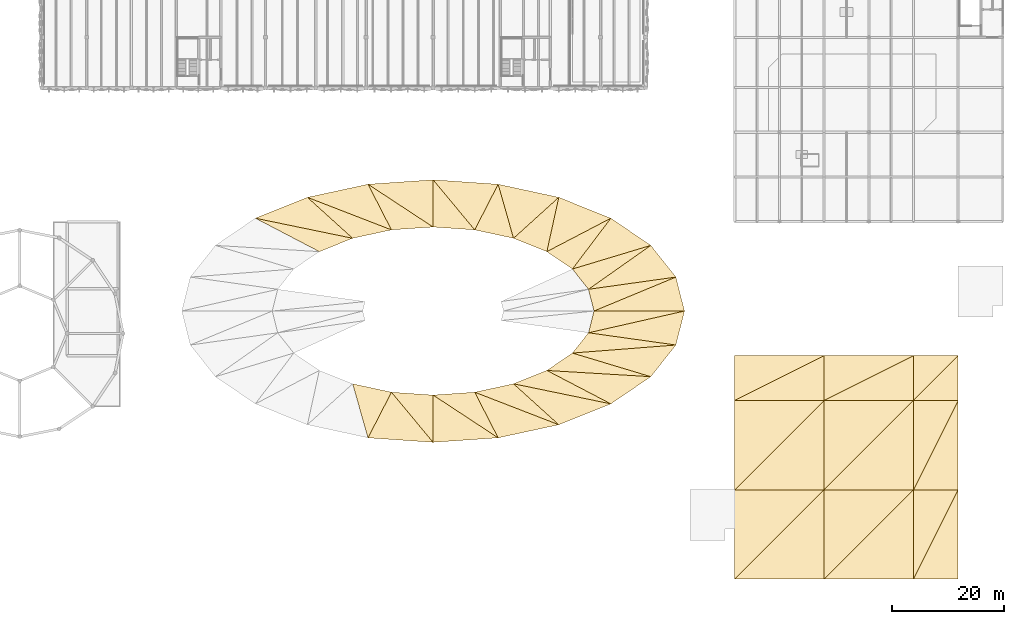
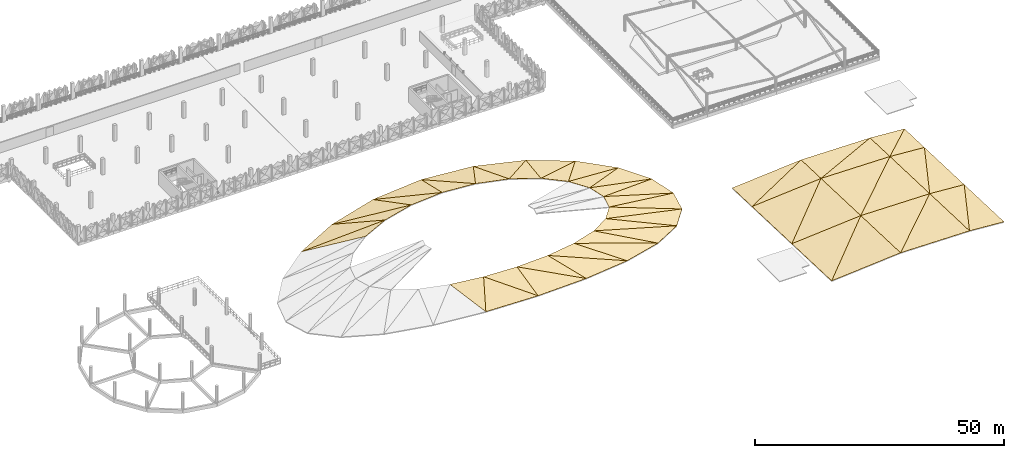
# One storey, part 52 of 52: 51 coverings.
"""IFC4 building model written with IfcOpenShell, lengths in metres."""

from ifc_helpers import new_model, si_unit, derived_unit, direction, frame, origin, place, context, subcontext, project, spatial, polygons, material, layer, layer_set, type_object, element, save


model = new_model("IFC4")

# Units and contexts
model_context = context("Model", 3, precision=1e-05, world=origin(), true_north=direction((0.0, 1.0)))
body_context = subcontext(model_context, "Body", "Model", "MODEL_VIEW")
ifc_project = project(units=[si_unit("LENGTHUNIT", "METRE"), si_unit("AREAUNIT", "SQUARE_METRE"), si_unit("VOLUMEUNIT", "CUBIC_METRE"), si_unit("PLANEANGLEUNIT", "RADIAN"), si_unit("MASSUNIT", "GRAM", prefix="KILO"), si_unit("THERMODYNAMICTEMPERATUREUNIT", "KELVIN"), derived_unit("THERMALTRANSMITTANCEUNIT", [(si_unit("POWERUNIT", "WATT"), 1), (si_unit("AREAUNIT", "SQUARE_METRE"), -1), (si_unit("THERMODYNAMICTEMPERATUREUNIT", "KELVIN"), -1)])], contexts=[model_context])

# Site, building, storey
site_placement = place(None, origin())
site = spatial("IfcSite", under=ifc_project, at=site_placement, CompositionType="ELEMENT")
building_placement = place(site_placement, origin())
building = spatial("IfcBuilding", under=site, at=building_placement, Name="Haiyu Intermodal Mobility Hub", CompositionType="ELEMENT")
storey_placement = place(building_placement, frame((0.0, 0.0, 21.199951171875)))
storey = spatial("IfcBuildingStorey", under=building, at=storey_placement, Name="L05", CompositionType="ELEMENT", Elevation=21.199951171875)

# Coverings
ifc_material_1 = material(Name="PTFE tensile membrane")
ifc_layer_1 = layer(ifc_material_1, 0.050048828125)
ifc_layer_set_1 = layer_set([ifc_layer_1], Name="PTFE tensile membrane")
covering_type_1 = type_object("IfcCoveringType", Name="COV-CV03", PredefinedType="ROOFING", material=ifc_layer_set_1)
covering_1_placement = place(storey_placement, origin())
element("IfcCovering", 1, at=covering_1_placement, inside=storey, type_object=covering_type_1, Name="PTFE Saddle Membrane 073", PredefinedType="ROOFING", context=body_context, shape_type="Tessellation", body=[
    polygons([(136.800048828125, 64.0, 0.612060546875), (153.0, 64.0, -4.199951171875), (151.467041015625, 70.08203125, -3.87890625), (136.800048828125, 64.0, 0.662109375), (153.0, 64.0, -4.14990234375), (151.467041015625, 70.08203125, -3.828857421875)], [[[3, 2, 1]], [[4, 5, 6]], [[1, 2, 5, 4]], [[2, 3, 6, 5]], [[3, 1, 4, 6]]], closed=True),
])
covering_2_placement = place(storey_placement, origin())
element("IfcCovering", 2, at=covering_2_placement, inside=storey, type_object=covering_type_1, Name="PTFE Saddle Membrane 074", PredefinedType="ROOFING", context=body_context, shape_type="Tessellation", body=[
    polygons([(136.800048828125, 64.0, 0.612060546875), (151.467041015625, 70.08203125, -3.87890625), (135.819091796875, 67.89306640625, 0.7431640625), (136.800048828125, 64.0, 0.662109375), (151.467041015625, 70.08203125, -3.828857421875), (135.819091796875, 67.89306640625, 0.79296875)], [[[3, 2, 1]], [[4, 5, 6]], [[1, 2, 5, 4]], [[2, 3, 6, 5]], [[3, 1, 4, 6]]], closed=True),
])
covering_3_placement = place(storey_placement, origin())
element("IfcCovering", 3, at=covering_3_placement, inside=storey, type_object=covering_type_1, Name="PTFE Saddle Membrane 075", PredefinedType="ROOFING", context=body_context, shape_type="Tessellation", body=[
    polygons([(135.819091796875, 67.89306640625, 0.7431640625), (151.467041015625, 70.08203125, -3.87890625), (146.970947265625, 75.75, -3.0), (135.819091796875, 67.89306640625, 0.79296875), (151.467041015625, 70.08203125, -3.828857421875), (146.970947265625, 75.75, -2.949951171875)], [[[3, 2, 1]], [[4, 5, 6]], [[1, 2, 5, 4]], [[2, 3, 6, 5]], [[3, 1, 4, 6]]], closed=True),
])
covering_4_placement = place(storey_placement, origin())
element("IfcCovering", 4, at=covering_4_placement, inside=storey, type_object=covering_type_1, Name="PTFE Saddle Membrane 076", PredefinedType="ROOFING", context=body_context, shape_type="Tessellation", body=[
    polygons([(135.819091796875, 67.89306640625, 0.7431640625), (146.970947265625, 75.75, -3.0), (132.94189453125, 71.52001953125, 1.10302734375), (135.819091796875, 67.89306640625, 0.79296875), (146.970947265625, 75.75, -2.949951171875), (132.94189453125, 71.52001953125, 1.153076171875)], [[[3, 2, 1]], [[4, 5, 6]], [[1, 2, 5, 4]], [[2, 3, 6, 5]], [[3, 1, 4, 6]]], closed=True),
])
covering_5_placement = place(storey_placement, origin())
element("IfcCovering", 5, at=covering_5_placement, inside=storey, type_object=covering_type_1, Name="PTFE Saddle Membrane 077", PredefinedType="ROOFING", context=body_context, shape_type="Tessellation", body=[
    polygons([(132.94189453125, 71.52001953125, 1.10302734375), (146.970947265625, 75.75, -3.0), (139.820068359375, 80.616943359375, -1.800048828125), (132.94189453125, 71.52001953125, 1.153076171875), (146.970947265625, 75.75, -2.949951171875), (139.820068359375, 80.616943359375, -1.75)], [[[3, 2, 1]], [[4, 5, 6]], [[1, 2, 5, 4]], [[2, 3, 6, 5]], [[3, 1, 4, 6]]], closed=True),
])
covering_6_placement = place(storey_placement, origin())
element("IfcCovering", 6, at=covering_6_placement, inside=storey, type_object=covering_type_1, Name="PTFE Saddle Membrane 078", PredefinedType="ROOFING", context=body_context, shape_type="Tessellation", body=[
    polygons([(132.94189453125, 71.52001953125, 1.10302734375), (139.820068359375, 80.616943359375, -1.800048828125), (128.364990234375, 74.635009765625, 1.594970703125), (132.94189453125, 71.52001953125, 1.153076171875), (139.820068359375, 80.616943359375, -1.75), (128.364990234375, 74.635009765625, 1.64501953125)], [[[3, 2, 1]], [[4, 5, 6]], [[1, 2, 5, 4]], [[2, 3, 6, 5]], [[3, 1, 4, 6]]], closed=True),
])
covering_7_placement = place(storey_placement, origin())
element("IfcCovering", 7, at=covering_7_placement, inside=storey, type_object=covering_type_1, Name="PTFE Saddle Membrane 079", PredefinedType="ROOFING", context=body_context, shape_type="Tessellation", body=[
    polygons([(128.364990234375, 74.635009765625, 1.594970703125), (139.820068359375, 80.616943359375, -1.800048828125), (130.5, 84.35205078125, -0.599853515625), (128.364990234375, 74.635009765625, 1.64501953125), (139.820068359375, 80.616943359375, -1.75), (130.5, 84.35205078125, -0.550048828125)], [[[3, 2, 1]], [[4, 5, 6]], [[1, 2, 5, 4]], [[2, 3, 6, 5]], [[3, 1, 4, 6]]], closed=True),
])
covering_8_placement = place(storey_placement, origin())
element("IfcCovering", 8, at=covering_8_placement, inside=storey, type_object=covering_type_1, Name="PTFE Saddle Membrane 080", PredefinedType="ROOFING", context=body_context, shape_type="Tessellation", body=[
    polygons([(128.364990234375, 74.635009765625, 1.594970703125), (130.5, 84.35205078125, -0.599853515625), (122.39990234375, 77.02490234375, 2.0859375), (128.364990234375, 74.635009765625, 1.64501953125), (130.5, 84.35205078125, -0.550048828125), (122.39990234375, 77.02490234375, 2.135986328125)], [[[3, 2, 1]], [[4, 5, 6]], [[1, 2, 5, 4]], [[2, 3, 6, 5]], [[3, 1, 4, 6]]], closed=True),
])
covering_9_placement = place(storey_placement, origin())
element("IfcCovering", 9, at=covering_9_placement, inside=storey, type_object=covering_type_1, Name="PTFE Saddle Membrane 081", PredefinedType="ROOFING", context=body_context, shape_type="Tessellation", body=[
    polygons([(122.39990234375, 77.02490234375, 2.0859375), (130.5, 84.35205078125, -0.599853515625), (119.64697265625, 86.698974609375, 0.279052734375), (122.39990234375, 77.02490234375, 2.135986328125), (130.5, 84.35205078125, -0.550048828125), (119.64697265625, 86.698974609375, 0.3291015625)], [[[3, 2, 1]], [[4, 5, 6]], [[1, 2, 5, 4]], [[2, 3, 6, 5]], [[3, 1, 4, 6]]], closed=True),
])
covering_10_placement = place(storey_placement, origin())
element("IfcCovering", 10, at=covering_10_placement, inside=storey, type_object=covering_type_1, Name="PTFE Saddle Membrane 082", PredefinedType="ROOFING", context=body_context, shape_type="Tessellation", body=[
    polygons([(122.39990234375, 77.02490234375, 2.0859375), (119.64697265625, 86.698974609375, 0.279052734375), (115.4541015625, 78.528076171875, 2.446044921875), (122.39990234375, 77.02490234375, 2.135986328125), (119.64697265625, 86.698974609375, 0.3291015625), (115.4541015625, 78.528076171875, 2.49609375)], [[[3, 2, 1]], [[4, 5, 6]], [[1, 2, 5, 4]], [[2, 3, 6, 5]], [[3, 1, 4, 6]]], closed=True),
])
covering_11_placement = place(storey_placement, origin())
element("IfcCovering", 11, at=covering_11_placement, inside=storey, type_object=covering_type_1, Name="PTFE Saddle Membrane 083", PredefinedType="ROOFING", context=body_context, shape_type="Tessellation", body=[
    polygons([(115.4541015625, 78.528076171875, 2.446044921875), (119.64697265625, 86.698974609375, 0.279052734375), (108.0, 87.5, 0.60009765625), (115.4541015625, 78.528076171875, 2.49609375), (119.64697265625, 86.698974609375, 0.3291015625), (108.0, 87.5, 0.650146484375)], [[[3, 2, 1]], [[4, 5, 6]], [[1, 2, 5, 4]], [[2, 3, 6, 5]], [[3, 1, 4, 6]]], closed=True),
])
covering_12_placement = place(storey_placement, origin())
element("IfcCovering", 12, at=covering_12_placement, inside=storey, type_object=covering_type_1, Name="PTFE Saddle Membrane 084", PredefinedType="ROOFING", context=body_context, shape_type="Tessellation", body=[
    polygons([(115.4541015625, 78.528076171875, 2.446044921875), (108.0, 87.5, 0.60009765625), (108.0, 79.0400390625, 2.578125), (115.4541015625, 78.528076171875, 2.49609375), (108.0, 87.5, 0.650146484375), (108.0, 79.0400390625, 2.6279296875)], [[[3, 2, 1]], [[4, 5, 6]], [[1, 2, 5, 4]], [[2, 3, 6, 5]], [[3, 1, 4, 6]]], closed=True),
])
covering_13_placement = place(storey_placement, origin())
element("IfcCovering", 13, at=covering_13_placement, inside=storey, type_object=covering_type_1, Name="PTFE Saddle Membrane 085", PredefinedType="ROOFING", context=body_context, shape_type="Tessellation", body=[
    polygons([(108.0, 79.0400390625, 2.578125), (108.0, 87.5, 0.60009765625), (96.35302734375, 86.698974609375, 0.279052734375), (108.0, 79.0400390625, 2.6279296875), (108.0, 87.5, 0.650146484375), (96.35302734375, 86.698974609375, 0.3291015625)], [[[3, 2, 1]], [[4, 5, 6]], [[1, 2, 5, 4]], [[2, 3, 6, 5]], [[3, 1, 4, 6]]], closed=True),
])
covering_14_placement = place(storey_placement, origin())
element("IfcCovering", 14, at=covering_14_placement, inside=storey, type_object=covering_type_1, Name="PTFE Saddle Membrane 086", PredefinedType="ROOFING", context=body_context, shape_type="Tessellation", body=[
    polygons([(108.0, 79.0400390625, 2.578125), (96.35302734375, 86.698974609375, 0.279052734375), (100.5458984375, 78.528076171875, 2.446044921875), (108.0, 79.0400390625, 2.6279296875), (96.35302734375, 86.698974609375, 0.3291015625), (100.5458984375, 78.528076171875, 2.49609375)], [[[3, 2, 1]], [[4, 5, 6]], [[1, 2, 5, 4]], [[2, 3, 6, 5]], [[3, 1, 4, 6]]], closed=True),
])
covering_15_placement = place(storey_placement, origin())
element("IfcCovering", 15, at=covering_15_placement, inside=storey, type_object=covering_type_1, Name="PTFE Saddle Membrane 087", PredefinedType="ROOFING", context=body_context, shape_type="Tessellation", body=[
    polygons([(100.5458984375, 78.528076171875, 2.446044921875), (96.35302734375, 86.698974609375, 0.279052734375), (85.5, 84.35205078125, -0.599853515625), (100.5458984375, 78.528076171875, 2.49609375), (96.35302734375, 86.698974609375, 0.3291015625), (85.5, 84.35205078125, -0.550048828125)], [[[3, 2, 1]], [[4, 5, 6]], [[1, 2, 5, 4]], [[2, 3, 6, 5]], [[3, 1, 4, 6]]], closed=True),
])
covering_16_placement = place(storey_placement, origin())
element("IfcCovering", 16, at=covering_16_placement, inside=storey, type_object=covering_type_1, Name="PTFE Saddle Membrane 088", PredefinedType="ROOFING", context=body_context, shape_type="Tessellation", body=[
    polygons([(100.5458984375, 78.528076171875, 2.446044921875), (85.5, 84.35205078125, -0.599853515625), (93.60009765625, 77.02490234375, 2.0859375), (100.5458984375, 78.528076171875, 2.49609375), (85.5, 84.35205078125, -0.550048828125), (93.60009765625, 77.02490234375, 2.135986328125)], [[[3, 2, 1]], [[4, 5, 6]], [[1, 2, 5, 4]], [[2, 3, 6, 5]], [[3, 1, 4, 6]]], closed=True),
])
covering_17_placement = place(storey_placement, origin())
element("IfcCovering", 17, at=covering_17_placement, inside=storey, type_object=covering_type_1, Name="PTFE Saddle Membrane 089", PredefinedType="ROOFING", context=body_context, shape_type="Tessellation", body=[
    polygons([(93.60009765625, 77.02490234375, 2.0859375), (85.5, 84.35205078125, -0.599853515625), (76.179931640625, 80.616943359375, -1.800048828125), (93.60009765625, 77.02490234375, 2.135986328125), (85.5, 84.35205078125, -0.550048828125), (76.179931640625, 80.616943359375, -1.75)], [[[3, 2, 1]], [[4, 5, 6]], [[1, 2, 5, 4]], [[2, 3, 6, 5]], [[3, 1, 4, 6]]], closed=True),
])
covering_18_placement = place(storey_placement, origin())
element("IfcCovering", 18, at=covering_18_placement, inside=storey, type_object=covering_type_1, Name="PTFE Saddle Membrane 090", PredefinedType="ROOFING", context=body_context, shape_type="Tessellation", body=[
    polygons([(93.60009765625, 77.02490234375, 2.0859375), (76.179931640625, 80.616943359375, -1.800048828125), (87.635009765625, 74.635009765625, 1.594970703125), (93.60009765625, 77.02490234375, 2.135986328125), (76.179931640625, 80.616943359375, -1.75), (87.635009765625, 74.635009765625, 1.64501953125)], [[[3, 2, 1]], [[4, 5, 6]], [[1, 2, 5, 4]], [[2, 3, 6, 5]], [[3, 1, 4, 6]]], closed=True),
])
covering_19_placement = place(storey_placement, origin())
element("IfcCovering", 19, at=covering_19_placement, inside=storey, type_object=covering_type_1, Name="PTFE Saddle Membrane 106", PredefinedType="ROOFING", context=body_context, shape_type="Tessellation", body=[
    polygons([(93.60009765625, 50.97509765625, 2.0859375), (96.35302734375, 41.301025390625, 0.279052734375), (100.5458984375, 49.471923828125, 2.446044921875), (93.60009765625, 50.97509765625, 2.135986328125), (96.35302734375, 41.301025390625, 0.3291015625), (100.5458984375, 49.471923828125, 2.49609375)], [[[3, 2, 1]], [[4, 5, 6]], [[1, 2, 5, 4]], [[2, 3, 6, 5]], [[3, 1, 4, 6]]], closed=True),
])
covering_20_placement = place(storey_placement, origin())
element("IfcCovering", 20, at=covering_20_placement, inside=storey, type_object=covering_type_1, Name="PTFE Saddle Membrane 107", PredefinedType="ROOFING", context=body_context, shape_type="Tessellation", body=[
    polygons([(100.5458984375, 49.471923828125, 2.446044921875), (96.35302734375, 41.301025390625, 0.279052734375), (108.0, 40.5, 0.60009765625), (100.5458984375, 49.471923828125, 2.49609375), (96.35302734375, 41.301025390625, 0.3291015625), (108.0, 40.5, 0.650146484375)], [[[3, 2, 1]], [[4, 5, 6]], [[1, 2, 5, 4]], [[2, 3, 6, 5]], [[3, 1, 4, 6]]], closed=True),
])
covering_21_placement = place(storey_placement, origin())
element("IfcCovering", 21, at=covering_21_placement, inside=storey, type_object=covering_type_1, Name="PTFE Saddle Membrane 108", PredefinedType="ROOFING", context=body_context, shape_type="Tessellation", body=[
    polygons([(100.5458984375, 49.471923828125, 2.446044921875), (108.0, 40.5, 0.60009765625), (108.0, 48.9599609375, 2.578125), (100.5458984375, 49.471923828125, 2.49609375), (108.0, 40.5, 0.650146484375), (108.0, 48.9599609375, 2.6279296875)], [[[3, 2, 1]], [[4, 5, 6]], [[1, 2, 5, 4]], [[2, 3, 6, 5]], [[3, 1, 4, 6]]], closed=True),
])
covering_22_placement = place(storey_placement, origin())
element("IfcCovering", 22, at=covering_22_placement, inside=storey, type_object=covering_type_1, Name="PTFE Saddle Membrane 109", PredefinedType="ROOFING", context=body_context, shape_type="Tessellation", body=[
    polygons([(108.0, 48.9599609375, 2.578125), (108.0, 40.5, 0.60009765625), (119.64697265625, 41.301025390625, 0.279052734375), (108.0, 48.9599609375, 2.6279296875), (108.0, 40.5, 0.650146484375), (119.64697265625, 41.301025390625, 0.3291015625)], [[[3, 2, 1]], [[4, 5, 6]], [[1, 2, 5, 4]], [[2, 3, 6, 5]], [[3, 1, 4, 6]]], closed=True),
])
covering_23_placement = place(storey_placement, origin())
element("IfcCovering", 23, at=covering_23_placement, inside=storey, type_object=covering_type_1, Name="PTFE Saddle Membrane 110", PredefinedType="ROOFING", context=body_context, shape_type="Tessellation", body=[
    polygons([(108.0, 48.9599609375, 2.578125), (119.64697265625, 41.301025390625, 0.279052734375), (115.4541015625, 49.471923828125, 2.446044921875), (108.0, 48.9599609375, 2.6279296875), (119.64697265625, 41.301025390625, 0.3291015625), (115.4541015625, 49.471923828125, 2.49609375)], [[[3, 2, 1]], [[4, 5, 6]], [[1, 2, 5, 4]], [[2, 3, 6, 5]], [[3, 1, 4, 6]]], closed=True),
])
covering_24_placement = place(storey_placement, origin())
element("IfcCovering", 24, at=covering_24_placement, inside=storey, type_object=covering_type_1, Name="PTFE Saddle Membrane 111", PredefinedType="ROOFING", context=body_context, shape_type="Tessellation", body=[
    polygons([(115.4541015625, 49.471923828125, 2.446044921875), (119.64697265625, 41.301025390625, 0.279052734375), (130.5, 43.64794921875, -0.599853515625), (115.4541015625, 49.471923828125, 2.49609375), (119.64697265625, 41.301025390625, 0.3291015625), (130.5, 43.64794921875, -0.550048828125)], [[[3, 2, 1]], [[4, 5, 6]], [[1, 2, 5, 4]], [[2, 3, 6, 5]], [[3, 1, 4, 6]]], closed=True),
])
covering_25_placement = place(storey_placement, origin())
element("IfcCovering", 25, at=covering_25_placement, inside=storey, type_object=covering_type_1, Name="PTFE Saddle Membrane 112", PredefinedType="ROOFING", context=body_context, shape_type="Tessellation", body=[
    polygons([(115.4541015625, 49.471923828125, 2.446044921875), (130.5, 43.64794921875, -0.599853515625), (122.39990234375, 50.97509765625, 2.0859375), (115.4541015625, 49.471923828125, 2.49609375), (130.5, 43.64794921875, -0.550048828125), (122.39990234375, 50.97509765625, 2.135986328125)], [[[3, 2, 1]], [[4, 5, 6]], [[1, 2, 5, 4]], [[2, 3, 6, 5]], [[3, 1, 4, 6]]], closed=True),
])
covering_26_placement = place(storey_placement, origin())
element("IfcCovering", 26, at=covering_26_placement, inside=storey, type_object=covering_type_1, Name="PTFE Saddle Membrane 113", PredefinedType="ROOFING", context=body_context, shape_type="Tessellation", body=[
    polygons([(122.39990234375, 50.97509765625, 2.0859375), (130.5, 43.64794921875, -0.599853515625), (139.820068359375, 47.383056640625, -1.800048828125), (122.39990234375, 50.97509765625, 2.135986328125), (130.5, 43.64794921875, -0.550048828125), (139.820068359375, 47.383056640625, -1.75)], [[[3, 2, 1]], [[4, 5, 6]], [[1, 2, 5, 4]], [[2, 3, 6, 5]], [[3, 1, 4, 6]]], closed=True),
])
covering_27_placement = place(storey_placement, origin())
element("IfcCovering", 27, at=covering_27_placement, inside=storey, type_object=covering_type_1, Name="PTFE Saddle Membrane 114", PredefinedType="ROOFING", context=body_context, shape_type="Tessellation", body=[
    polygons([(122.39990234375, 50.97509765625, 2.0859375), (139.820068359375, 47.383056640625, -1.800048828125), (128.364990234375, 53.364990234375, 1.594970703125), (122.39990234375, 50.97509765625, 2.135986328125), (139.820068359375, 47.383056640625, -1.75), (128.364990234375, 53.364990234375, 1.64501953125)], [[[3, 2, 1]], [[4, 5, 6]], [[1, 2, 5, 4]], [[2, 3, 6, 5]], [[3, 1, 4, 6]]], closed=True),
])
covering_28_placement = place(storey_placement, origin())
element("IfcCovering", 28, at=covering_28_placement, inside=storey, type_object=covering_type_1, Name="PTFE Saddle Membrane 115", PredefinedType="ROOFING", context=body_context, shape_type="Tessellation", body=[
    polygons([(128.364990234375, 53.364990234375, 1.594970703125), (139.820068359375, 47.383056640625, -1.800048828125), (146.970947265625, 52.25, -3.0), (128.364990234375, 53.364990234375, 1.64501953125), (139.820068359375, 47.383056640625, -1.75), (146.970947265625, 52.25, -2.949951171875)], [[[3, 2, 1]], [[4, 5, 6]], [[1, 2, 5, 4]], [[2, 3, 6, 5]], [[3, 1, 4, 6]]], closed=True),
])
covering_29_placement = place(storey_placement, origin())
element("IfcCovering", 29, at=covering_29_placement, inside=storey, type_object=covering_type_1, Name="PTFE Saddle Membrane 116", PredefinedType="ROOFING", context=body_context, shape_type="Tessellation", body=[
    polygons([(128.364990234375, 53.364990234375, 1.594970703125), (146.970947265625, 52.25, -3.0), (132.94189453125, 56.47998046875, 1.10302734375), (128.364990234375, 53.364990234375, 1.64501953125), (146.970947265625, 52.25, -2.949951171875), (132.94189453125, 56.47998046875, 1.153076171875)], [[[3, 2, 1]], [[4, 5, 6]], [[1, 2, 5, 4]], [[2, 3, 6, 5]], [[3, 1, 4, 6]]], closed=True),
])
covering_30_placement = place(storey_placement, origin())
element("IfcCovering", 30, at=covering_30_placement, inside=storey, type_object=covering_type_1, Name="PTFE Saddle Membrane 117", PredefinedType="ROOFING", context=body_context, shape_type="Tessellation", body=[
    polygons([(132.94189453125, 56.47998046875, 1.10302734375), (146.970947265625, 52.25, -3.0), (151.467041015625, 57.91796875, -3.87890625), (132.94189453125, 56.47998046875, 1.153076171875), (146.970947265625, 52.25, -2.949951171875), (151.467041015625, 57.91796875, -3.828857421875)], [[[3, 2, 1]], [[4, 5, 6]], [[1, 2, 5, 4]], [[2, 3, 6, 5]], [[3, 1, 4, 6]]], closed=True),
])
covering_31_placement = place(storey_placement, origin())
element("IfcCovering", 31, at=covering_31_placement, inside=storey, type_object=covering_type_1, Name="PTFE Saddle Membrane 118", PredefinedType="ROOFING", context=body_context, shape_type="Tessellation", body=[
    polygons([(132.94189453125, 56.47998046875, 1.10302734375), (151.467041015625, 57.91796875, -3.87890625), (135.819091796875, 60.10693359375, 0.7431640625), (132.94189453125, 56.47998046875, 1.153076171875), (151.467041015625, 57.91796875, -3.828857421875), (135.819091796875, 60.10693359375, 0.79296875)], [[[3, 2, 1]], [[4, 5, 6]], [[1, 2, 5, 4]], [[2, 3, 6, 5]], [[3, 1, 4, 6]]], closed=True),
])
covering_32_placement = place(storey_placement, origin())
element("IfcCovering", 32, at=covering_32_placement, inside=storey, type_object=covering_type_1, Name="PTFE Saddle Membrane 119", PredefinedType="ROOFING", context=body_context, shape_type="Tessellation", body=[
    polygons([(135.819091796875, 60.10693359375, 0.7431640625), (151.467041015625, 57.91796875, -3.87890625), (153.0, 64.0, -4.199951171875), (135.819091796875, 60.10693359375, 0.79296875), (151.467041015625, 57.91796875, -3.828857421875), (153.0, 64.0, -4.14990234375)], [[[3, 2, 1]], [[4, 5, 6]], [[1, 2, 5, 4]], [[2, 3, 6, 5]], [[3, 1, 4, 6]]], closed=True),
])
covering_33_placement = place(storey_placement, origin())
element("IfcCovering", 33, at=covering_33_placement, inside=storey, type_object=covering_type_1, Name="PTFE Saddle Membrane 120", PredefinedType="ROOFING", context=body_context, shape_type="Tessellation", body=[
    polygons([(135.819091796875, 60.10693359375, 0.7431640625), (153.0, 64.0, -4.199951171875), (136.800048828125, 64.0, 0.612060546875), (135.819091796875, 60.10693359375, 0.79296875), (153.0, 64.0, -4.14990234375), (136.800048828125, 64.0, 0.662109375)], [[[3, 2, 1]], [[4, 5, 6]], [[1, 2, 5, 4]], [[2, 3, 6, 5]], [[3, 1, 4, 6]]], closed=True),
])
ifc_material_2 = material(Name="Anodised aluminium 6063-T6", Category="aluminium")
ifc_layer_2 = layer(ifc_material_2, 0.080078125)
ifc_layer_set_2 = layer_set([ifc_layer_2], Name="Anodised aluminium 6063-T6")
covering_type_2 = type_object("IfcCoveringType", Name="COV-CV04", PredefinedType="ROOFING", material=ifc_layer_set_2)
covering_34_placement = place(storey_placement, origin())
element("IfcCovering", 34, at=covering_34_placement, inside=storey, type_object=covering_type_2, Name="COV-V5-WAVE-01", PredefinedType="ROOFING", context=body_context, shape_type="Tessellation", body=[
    polygons([(162.0, 16.0, 0.199951171875), (178.0, 16.0, 1.494140625), (178.0, 32.0, 0.9140625), (162.0, 16.0, 0.25), (178.0, 16.0, 1.5439453125), (178.0, 32.0, 0.964111328125)], [[[3, 2, 1]], [[4, 5, 6]], [[1, 2, 5, 4]], [[2, 3, 6, 5]], [[3, 1, 4, 6]]], closed=True),
])
covering_35_placement = place(storey_placement, origin())
element("IfcCovering", 35, at=covering_35_placement, inside=storey, type_object=covering_type_2, Name="COV-V5-WAVE-02", PredefinedType="ROOFING", context=body_context, shape_type="Tessellation", body=[
    polygons([(162.0, 16.0, 0.199951171875), (178.0, 32.0, 0.9140625), (162.0, 32.0, -0.3798828125), (162.0, 16.0, 0.25), (178.0, 32.0, 0.964111328125), (162.0, 32.0, -0.329833984375)], [[[3, 2, 1]], [[4, 5, 6]], [[1, 2, 5, 4]], [[2, 3, 6, 5]], [[3, 1, 4, 6]]], closed=True),
])
covering_36_placement = place(storey_placement, origin())
element("IfcCovering", 36, at=covering_36_placement, inside=storey, type_object=covering_type_2, Name="COV-V5-WAVE-03", PredefinedType="ROOFING", context=body_context, shape_type="Tessellation", body=[
    polygons([(162.0, 32.0, -0.3798828125), (178.0, 32.0, 0.9140625), (178.0, 48.0, 0.333984375), (162.0, 32.0, -0.329833984375), (178.0, 32.0, 0.964111328125), (178.0, 48.0, 0.384033203125)], [[[3, 2, 1]], [[4, 5, 6]], [[1, 2, 5, 4]], [[2, 3, 6, 5]], [[3, 1, 4, 6]]], closed=True),
])
covering_37_placement = place(storey_placement, origin())
element("IfcCovering", 37, at=covering_37_placement, inside=storey, type_object=covering_type_2, Name="COV-V5-WAVE-04", PredefinedType="ROOFING", context=body_context, shape_type="Tessellation", body=[
    polygons([(162.0, 32.0, -0.3798828125), (178.0, 48.0, 0.333984375), (162.0, 48.0, -0.9599609375), (162.0, 32.0, -0.329833984375), (178.0, 48.0, 0.384033203125), (162.0, 48.0, -0.909912109375)], [[[3, 2, 1]], [[4, 5, 6]], [[1, 2, 5, 4]], [[2, 3, 6, 5]], [[3, 1, 4, 6]]], closed=True),
])
covering_38_placement = place(storey_placement, origin())
element("IfcCovering", 38, at=covering_38_placement, inside=storey, type_object=covering_type_2, Name="COV-V5-WAVE-05", PredefinedType="ROOFING", context=body_context, shape_type="Tessellation", body=[
    polygons([(162.0, 48.0, -0.9599609375), (178.0, 48.0, 0.333984375), (178.0, 56.0, 0.0439453125), (162.0, 48.0, -0.909912109375), (178.0, 48.0, 0.384033203125), (178.0, 56.0, 0.093994140625)], [[[3, 2, 1]], [[4, 5, 6]], [[1, 2, 5, 4]], [[2, 3, 6, 5]], [[3, 1, 4, 6]]], closed=True),
])
covering_39_placement = place(storey_placement, origin())
element("IfcCovering", 39, at=covering_39_placement, inside=storey, type_object=covering_type_2, Name="COV-V5-WAVE-06", PredefinedType="ROOFING", context=body_context, shape_type="Tessellation", body=[
    polygons([(162.0, 48.0, -0.9599609375), (178.0, 56.0, 0.0439453125), (162.0, 56.0, -1.25), (162.0, 48.0, -0.909912109375), (178.0, 56.0, 0.093994140625), (162.0, 56.0, -1.199951171875)], [[[3, 2, 1]], [[4, 5, 6]], [[1, 2, 5, 4]], [[2, 3, 6, 5]], [[3, 1, 4, 6]]], closed=True),
])
covering_40_placement = place(storey_placement, origin())
element("IfcCovering", 40, at=covering_40_placement, inside=storey, type_object=covering_type_2, Name="COV-V5-WAVE-07", PredefinedType="ROOFING", context=body_context, shape_type="Tessellation", body=[
    polygons([(178.0, 16.0, 1.494140625), (194.0, 16.0, 1.276123046875), (194.0, 32.0, 0.696044921875), (178.0, 16.0, 1.5439453125), (194.0, 16.0, 1.325927734375), (194.0, 32.0, 0.74609375)], [[[3, 2, 1]], [[4, 5, 6]], [[1, 2, 5, 4]], [[2, 3, 6, 5]], [[3, 1, 4, 6]]], closed=True),
])
covering_41_placement = place(storey_placement, origin())
element("IfcCovering", 41, at=covering_41_placement, inside=storey, type_object=covering_type_2, Name="COV-V5-WAVE-08", PredefinedType="ROOFING", context=body_context, shape_type="Tessellation", body=[
    polygons([(178.0, 16.0, 1.494140625), (194.0, 32.0, 0.696044921875), (178.0, 32.0, 0.9140625), (178.0, 16.0, 1.5439453125), (194.0, 32.0, 0.74609375), (178.0, 32.0, 0.964111328125)], [[[3, 2, 1]], [[4, 5, 6]], [[1, 2, 5, 4]], [[2, 3, 6, 5]], [[3, 1, 4, 6]]], closed=True),
])
covering_42_placement = place(storey_placement, origin())
element("IfcCovering", 42, at=covering_42_placement, inside=storey, type_object=covering_type_2, Name="COV-V5-WAVE-09", PredefinedType="ROOFING", context=body_context, shape_type="Tessellation", body=[
    polygons([(178.0, 32.0, 0.9140625), (194.0, 32.0, 0.696044921875), (194.0, 48.0, 0.115966796875), (178.0, 32.0, 0.964111328125), (194.0, 32.0, 0.74609375), (194.0, 48.0, 0.166015625)], [[[3, 2, 1]], [[4, 5, 6]], [[1, 2, 5, 4]], [[2, 3, 6, 5]], [[3, 1, 4, 6]]], closed=True),
])
covering_43_placement = place(storey_placement, origin())
element("IfcCovering", 43, at=covering_43_placement, inside=storey, type_object=covering_type_2, Name="COV-V5-WAVE-10", PredefinedType="ROOFING", context=body_context, shape_type="Tessellation", body=[
    polygons([(178.0, 32.0, 0.9140625), (194.0, 48.0, 0.115966796875), (178.0, 48.0, 0.333984375), (178.0, 32.0, 0.964111328125), (194.0, 48.0, 0.166015625), (178.0, 48.0, 0.384033203125)], [[[3, 2, 1]], [[4, 5, 6]], [[1, 2, 5, 4]], [[2, 3, 6, 5]], [[3, 1, 4, 6]]], closed=True),
])
covering_44_placement = place(storey_placement, origin())
element("IfcCovering", 44, at=covering_44_placement, inside=storey, type_object=covering_type_2, Name="COV-V5-WAVE-11", PredefinedType="ROOFING", context=body_context, shape_type="Tessellation", body=[
    polygons([(178.0, 48.0, 0.333984375), (194.0, 48.0, 0.115966796875), (194.0, 56.0, -0.174072265625), (178.0, 48.0, 0.384033203125), (194.0, 48.0, 0.166015625), (194.0, 56.0, -0.1240234375)], [[[3, 2, 1]], [[4, 5, 6]], [[1, 2, 5, 4]], [[2, 3, 6, 5]], [[3, 1, 4, 6]]], closed=True),
])
covering_45_placement = place(storey_placement, origin())
element("IfcCovering", 45, at=covering_45_placement, inside=storey, type_object=covering_type_2, Name="COV-V5-WAVE-12", PredefinedType="ROOFING", context=body_context, shape_type="Tessellation", body=[
    polygons([(178.0, 48.0, 0.333984375), (194.0, 56.0, -0.174072265625), (178.0, 56.0, 0.0439453125), (178.0, 48.0, 0.384033203125), (194.0, 56.0, -0.1240234375), (178.0, 56.0, 0.093994140625)], [[[3, 2, 1]], [[4, 5, 6]], [[1, 2, 5, 4]], [[2, 3, 6, 5]], [[3, 1, 4, 6]]], closed=True),
])
covering_46_placement = place(storey_placement, origin())
element("IfcCovering", 46, at=covering_46_placement, inside=storey, type_object=covering_type_2, Name="COV-V5-WAVE-13", PredefinedType="ROOFING", context=body_context, shape_type="Tessellation", body=[
    polygons([(194.0, 16.0, 1.276123046875), (202.0, 16.0, 0.699951171875), (202.0, 32.0, 0.1201171875), (194.0, 16.0, 1.325927734375), (202.0, 16.0, 0.75), (202.0, 32.0, 0.170166015625)], [[[3, 2, 1]], [[4, 5, 6]], [[1, 2, 5, 4]], [[2, 3, 6, 5]], [[3, 1, 4, 6]]], closed=True),
])
covering_47_placement = place(storey_placement, origin())
element("IfcCovering", 47, at=covering_47_placement, inside=storey, type_object=covering_type_2, Name="COV-V5-WAVE-14", PredefinedType="ROOFING", context=body_context, shape_type="Tessellation", body=[
    polygons([(194.0, 16.0, 1.276123046875), (202.0, 32.0, 0.1201171875), (194.0, 32.0, 0.696044921875), (194.0, 16.0, 1.325927734375), (202.0, 32.0, 0.170166015625), (194.0, 32.0, 0.74609375)], [[[3, 2, 1]], [[4, 5, 6]], [[1, 2, 5, 4]], [[2, 3, 6, 5]], [[3, 1, 4, 6]]], closed=True),
])
covering_48_placement = place(storey_placement, origin())
element("IfcCovering", 48, at=covering_48_placement, inside=storey, type_object=covering_type_2, Name="COV-V5-WAVE-15", PredefinedType="ROOFING", context=body_context, shape_type="Tessellation", body=[
    polygons([(194.0, 32.0, 0.696044921875), (202.0, 32.0, 0.1201171875), (202.0, 48.0, -0.4599609375), (194.0, 32.0, 0.74609375), (202.0, 32.0, 0.170166015625), (202.0, 48.0, -0.409912109375)], [[[3, 2, 1]], [[4, 5, 6]], [[1, 2, 5, 4]], [[2, 3, 6, 5]], [[3, 1, 4, 6]]], closed=True),
])
covering_49_placement = place(storey_placement, origin())
element("IfcCovering", 49, at=covering_49_placement, inside=storey, type_object=covering_type_2, Name="COV-V5-WAVE-16", PredefinedType="ROOFING", context=body_context, shape_type="Tessellation", body=[
    polygons([(194.0, 32.0, 0.696044921875), (202.0, 48.0, -0.4599609375), (194.0, 48.0, 0.115966796875), (194.0, 32.0, 0.74609375), (202.0, 48.0, -0.409912109375), (194.0, 48.0, 0.166015625)], [[[3, 2, 1]], [[4, 5, 6]], [[1, 2, 5, 4]], [[2, 3, 6, 5]], [[3, 1, 4, 6]]], closed=True),
])
covering_50_placement = place(storey_placement, origin())
element("IfcCovering", 50, at=covering_50_placement, inside=storey, type_object=covering_type_2, Name="COV-V5-WAVE-17", PredefinedType="ROOFING", context=body_context, shape_type="Tessellation", body=[
    polygons([(194.0, 48.0, 0.115966796875), (202.0, 48.0, -0.4599609375), (202.0, 56.0, -0.75), (194.0, 48.0, 0.166015625), (202.0, 48.0, -0.409912109375), (202.0, 56.0, -0.699951171875)], [[[3, 2, 1]], [[4, 5, 6]], [[1, 2, 5, 4]], [[2, 3, 6, 5]], [[3, 1, 4, 6]]], closed=True),
])
covering_51_placement = place(storey_placement, origin())
element("IfcCovering", 51, at=covering_51_placement, inside=storey, type_object=covering_type_2, Name="COV-V5-WAVE-18", PredefinedType="ROOFING", context=body_context, shape_type="Tessellation", body=[
    polygons([(194.0, 48.0, 0.115966796875), (202.0, 56.0, -0.75), (194.0, 56.0, -0.174072265625), (194.0, 48.0, 0.166015625), (202.0, 56.0, -0.699951171875), (194.0, 56.0, -0.1240234375)], [[[3, 2, 1]], [[4, 5, 6]], [[1, 2, 5, 4]], [[2, 3, 6, 5]], [[3, 1, 4, 6]]], closed=True),
])

save(model, "model.ifc")
